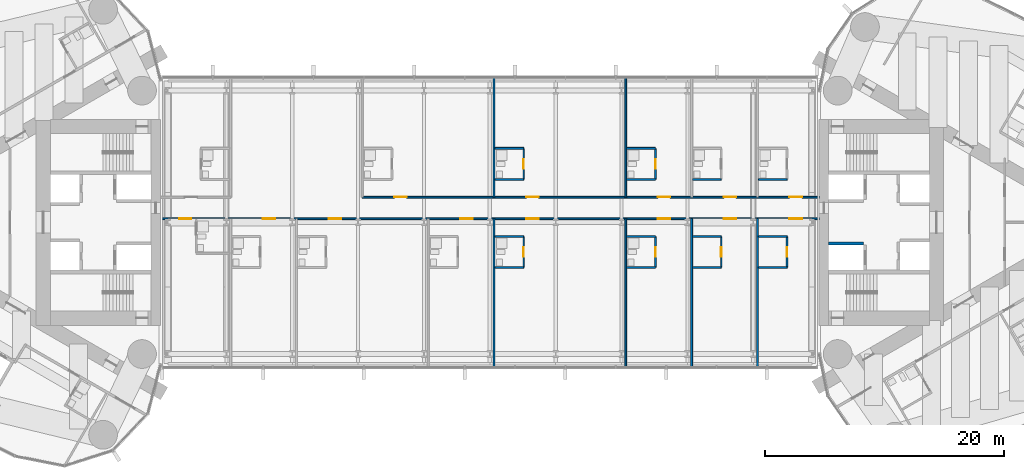
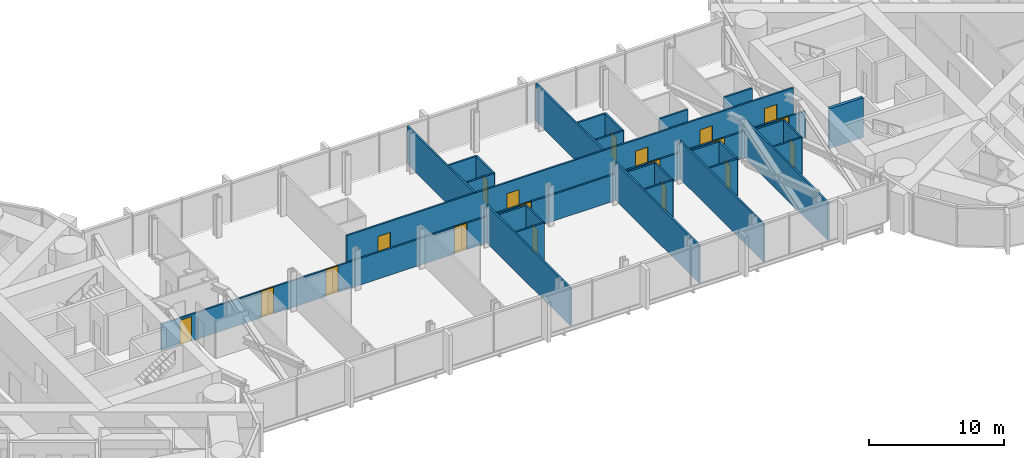
# One storey, part 18 of 24: 29 walls, 19 doors, 19 openings.
"""IFC4 building model written with IfcOpenShell, lengths in metres."""

from ifc_helpers import new_model, si_unit, direction, frame, frame_2d, origin, place, context, subcontext, project, spatial, rectangle, extrude, material, layer, layer_set, type_object, element, fill, save


model = new_model("IFC4")

# Units and contexts
model_context = context("Model", 3, precision=1e-05, world=origin(), true_north=direction((0.0, 1.0)))
body_context = subcontext(model_context, "Body", "Model", "MODEL_VIEW")
ifc_project = project(units=[si_unit("LENGTHUNIT", "METRE"), si_unit("AREAUNIT", "SQUARE_METRE"), si_unit("VOLUMEUNIT", "CUBIC_METRE"), si_unit("PLANEANGLEUNIT", "RADIAN"), si_unit("MASSUNIT", "GRAM", prefix="KILO")], contexts=[model_context])

# Site, building, storey
site_placement = place(None, origin())
site = spatial("IfcSite", under=ifc_project, at=site_placement, CompositionType="ELEMENT")
building_placement = place(site_placement, origin())
building = spatial("IfcBuilding", under=site, at=building_placement, Name="Lancet Gate Hotel", CompositionType="ELEMENT")
storey_placement = place(building_placement, frame((0.0, 0.0, 236.89990234375)))
storey = spatial("IfcBuildingStorey", under=building, at=storey_placement, Name="L63", CompositionType="ELEMENT", Elevation=236.89990234375)

# Walls
ifc_material_1 = material(Name="Moisture resistant board partition")
ifc_layer_1 = layer(ifc_material_1, 0.14990234375)
ifc_layer_set_1 = layer_set([ifc_layer_1], Name="Bathroom wall 150")
wall_type_1 = type_object("IfcWallType", Name="Bathroom wall 150", PredefinedType="PARTITIONING", material=ifc_layer_set_1)
for number, where, z_axis, x_axis, name in (
    (1, (0.425048828125, -3.77490234375, 0.0), (0.0, 0.0, 1.0), (1.0, 0.0, 0.0), "Bridge block bathroom wall 150 L63"),
    (2, (0.425048828125, -1.175048828125, 0.0), (0.0, 0.0, 1.0), (1.0, 0.0, 0.0), "Bridge block bathroom wall 150 L63"),
):
    element("IfcWall", number, at=place(storey_placement, frame(where, z_axis=z_axis, x_axis=x_axis)), inside=storey, type_object=wall_type_1, Name=name, PredefinedType="PARTITIONING", context=body_context, shape_type="SweptSolid", body=[
        extrude(rectangle(XDim=2.39990234375, YDim=0.14990234375, at=frame_2d((1.199951171875, 0.0))), origin(), (0.0, 0.0, 1.0), 3.400146484375),
    ])

# Wall, opening, door
wall_1_placement = place(storey_placement, frame((2.824951171875, -3.77490234375, 0.0), z_axis=(0.0, 0.0, 1.0), x_axis=(0.0, 1.0, 0.0)))
wall_1 = element("IfcWall", 3, at=wall_1_placement, inside=storey, type_object=wall_type_1, Name="Bridge block bathroom wall 150 L63", PredefinedType="PARTITIONING", context=body_context, shape_type="SweptSolid", body=[
    extrude(rectangle(XDim=2.599853515625, YDim=0.14990234375, at=frame_2d((1.2998046875, 0.0))), origin(), (0.0, 0.0, 1.0), 3.400146484375),
])
opening_1_placement = place(wall_1_placement, frame((0.89990234375, 0.0, 0.0)))
opening_1 = element("IfcOpeningElement", 4, at=opening_1_placement, cuts=wall_1, Name="Opening B6306-B", PredefinedType="OPENING", context=body_context, shape_type="SweptSolid", body=[
    extrude(rectangle(XDim=0.800048828125, YDim=2.199951171875, at=frame_2d((0.39990234375, 1.10009765625))), frame((0.0, 0.0849609375, 0.0), z_axis=(0.0, -1.0, 0.0), x_axis=(1.0, 0.0, 0.0)), (0.0, 0.0, 1.0), 0.169921875),
])
ifc_material_2 = material(Name="Timber door set", Category="wood")
door_type_1 = type_object("IfcDoorType", Name="Bathroom door 800", OperationType="SINGLE_SWING_RIGHT", PredefinedType="DOOR", material=ifc_material_2)
door_1_placement = place(opening_1_placement, origin())
door_1 = element("IfcDoor", 5, at=door_1_placement, inside=storey, type_object=door_type_1, Name="B6306-B", OperationType="SINGLE_SWING_RIGHT", OverallHeight=2.199951171875, OverallWidth=0.800048828125, PredefinedType="DOOR", context=body_context, shape_type="SweptSolid", body=[
    extrude(rectangle(XDim=0.800048828125, YDim=2.199951171875, at=frame_2d((0.39990234375, 1.10009765625))), frame((0.0, 0.02490234375, 0.0), z_axis=(0.0, -1.0, 0.0), x_axis=(1.0, 0.0, 0.0)), (0.0, 0.0, 1.0), 0.050048828125),
])
fill(opening_1, door_1)

# Walls
for number, where, z_axis, x_axis, name in (
    (6, (11.425048828125, -3.77490234375, 0.0), (0.0, 0.0, 1.0), (1.0, 0.0, 0.0), "Bridge block bathroom wall 150 L63"),
    (7, (11.425048828125, -1.175048828125, 0.0), (0.0, 0.0, 1.0), (1.0, 0.0, 0.0), "Bridge block bathroom wall 150 L63"),
):
    element("IfcWall", number, at=place(storey_placement, frame(where, z_axis=z_axis, x_axis=x_axis)), inside=storey, type_object=wall_type_1, Name=name, PredefinedType="PARTITIONING", context=body_context, shape_type="SweptSolid", body=[
        extrude(rectangle(XDim=2.39990234375, YDim=0.14990234375, at=frame_2d((1.199951171875, 0.0))), origin(), (0.0, 0.0, 1.0), 3.400146484375),
    ])

# Wall, opening, door
wall_2_placement = place(storey_placement, frame((13.824951171875, -3.77490234375, 0.0), z_axis=(0.0, 0.0, 1.0), x_axis=(0.0, 1.0, 0.0)))
wall_2 = element("IfcWall", 8, at=wall_2_placement, inside=storey, type_object=wall_type_1, Name="Bridge block bathroom wall 150 L63", PredefinedType="PARTITIONING", context=body_context, shape_type="SweptSolid", body=[
    extrude(rectangle(XDim=2.599853515625, YDim=0.14990234375, at=frame_2d((1.2998046875, 0.0))), origin(), (0.0, 0.0, 1.0), 3.400146484375),
])
opening_2_placement = place(wall_2_placement, frame((0.89990234375, 0.0, 0.0)))
opening_2 = element("IfcOpeningElement", 9, at=opening_2_placement, cuts=wall_2, Name="Opening B6308-B", PredefinedType="OPENING", context=body_context, shape_type="SweptSolid", body=[
    extrude(rectangle(XDim=0.800048828125, YDim=2.199951171875, at=frame_2d((0.39990234375, 1.10009765625))), frame((0.0, 0.0849609375, 0.0), z_axis=(0.0, -1.0, 0.0), x_axis=(1.0, 0.0, 0.0)), (0.0, 0.0, 1.0), 0.169921875),
])
door_2_placement = place(opening_2_placement, origin())
door_2 = element("IfcDoor", 10, at=door_2_placement, inside=storey, type_object=door_type_1, Name="B6308-B", OperationType="SINGLE_SWING_RIGHT", OverallHeight=2.199951171875, OverallWidth=0.800048828125, PredefinedType="DOOR", context=body_context, shape_type="SweptSolid", body=[
    extrude(rectangle(XDim=0.800048828125, YDim=2.199951171875, at=frame_2d((0.39990234375, 1.10009765625))), frame((0.0, 0.02490234375, 0.0), z_axis=(0.0, -1.0, 0.0), x_axis=(1.0, 0.0, 0.0)), (0.0, 0.0, 1.0), 0.050048828125),
])
fill(opening_2, door_2)

# Walls
for number, where, z_axis, x_axis, name in (
    (11, (16.925048828125, -3.77490234375, 0.0), (0.0, 0.0, 1.0), (1.0, 0.0, 0.0), "Bridge block bathroom wall 150 L63"),
    (12, (16.925048828125, -1.175048828125, 0.0), (0.0, 0.0, 1.0), (1.0, 0.0, 0.0), "Bridge block bathroom wall 150 L63"),
):
    element("IfcWall", number, at=place(storey_placement, frame(where, z_axis=z_axis, x_axis=x_axis)), inside=storey, type_object=wall_type_1, Name=name, PredefinedType="PARTITIONING", context=body_context, shape_type="SweptSolid", body=[
        extrude(rectangle(XDim=2.39990234375, YDim=0.14990234375, at=frame_2d((1.199951171875, 0.0))), origin(), (0.0, 0.0, 1.0), 3.400146484375),
    ])

# Wall, opening, door
wall_3_placement = place(storey_placement, frame((19.324951171875, -3.77490234375, 0.0), z_axis=(0.0, 0.0, 1.0), x_axis=(0.0, 1.0, 0.0)))
wall_3 = element("IfcWall", 13, at=wall_3_placement, inside=storey, type_object=wall_type_1, Name="Bridge block bathroom wall 150 L63", PredefinedType="PARTITIONING", context=body_context, shape_type="SweptSolid", body=[
    extrude(rectangle(XDim=2.599853515625, YDim=0.14990234375, at=frame_2d((1.2998046875, 0.0))), origin(), (0.0, 0.0, 1.0), 3.400146484375),
])
opening_3_placement = place(wall_3_placement, frame((0.89990234375, 0.0, 0.0)))
opening_3 = element("IfcOpeningElement", 14, at=opening_3_placement, cuts=wall_3, Name="Opening B6309-B", PredefinedType="OPENING", context=body_context, shape_type="SweptSolid", body=[
    extrude(rectangle(XDim=0.800048828125, YDim=2.199951171875, at=frame_2d((0.39990234375, 1.10009765625))), frame((0.0, 0.0849609375, 0.0), z_axis=(0.0, -1.0, 0.0), x_axis=(1.0, 0.0, 0.0)), (0.0, 0.0, 1.0), 0.169921875),
])
door_3_placement = place(opening_3_placement, origin())
door_3 = element("IfcDoor", 15, at=door_3_placement, inside=storey, type_object=door_type_1, Name="B6309-B", OperationType="SINGLE_SWING_RIGHT", OverallHeight=2.199951171875, OverallWidth=0.800048828125, PredefinedType="DOOR", context=body_context, shape_type="SweptSolid", body=[
    extrude(rectangle(XDim=0.800048828125, YDim=2.199951171875, at=frame_2d((0.39990234375, 1.10009765625))), frame((0.0, 0.02490234375, 0.0), z_axis=(0.0, -1.0, 0.0), x_axis=(1.0, 0.0, 0.0)), (0.0, 0.0, 1.0), 0.050048828125),
])
fill(opening_3, door_3)

# Walls
for number, where, z_axis, x_axis, name in (
    (16, (22.425048828125, -3.77490234375, 0.0), (0.0, 0.0, 1.0), (1.0, 0.0, 0.0), "Bridge block bathroom wall 150 L63"),
    (17, (22.425048828125, -1.175048828125, 0.0), (0.0, 0.0, 1.0), (1.0, 0.0, 0.0), "Bridge block bathroom wall 150 L63"),
):
    element("IfcWall", number, at=place(storey_placement, frame(where, z_axis=z_axis, x_axis=x_axis)), inside=storey, type_object=wall_type_1, Name=name, PredefinedType="PARTITIONING", context=body_context, shape_type="SweptSolid", body=[
        extrude(rectangle(XDim=2.39990234375, YDim=0.14990234375, at=frame_2d((1.199951171875, 0.0))), origin(), (0.0, 0.0, 1.0), 3.400146484375),
    ])

# Wall, opening, door
wall_4_placement = place(storey_placement, frame((24.824951171875, -3.77490234375, 0.0), z_axis=(0.0, 0.0, 1.0), x_axis=(0.0, 1.0, 0.0)))
wall_4 = element("IfcWall", 18, at=wall_4_placement, inside=storey, type_object=wall_type_1, Name="Bridge block bathroom wall 150 L63", PredefinedType="PARTITIONING", context=body_context, shape_type="SweptSolid", body=[
    extrude(rectangle(XDim=2.599853515625, YDim=0.14990234375, at=frame_2d((1.2998046875, 0.0))), origin(), (0.0, 0.0, 1.0), 3.400146484375),
])
opening_4_placement = place(wall_4_placement, frame((0.89990234375, 0.0, 0.0)))
opening_4 = element("IfcOpeningElement", 19, at=opening_4_placement, cuts=wall_4, Name="Opening B6310-B", PredefinedType="OPENING", context=body_context, shape_type="SweptSolid", body=[
    extrude(rectangle(XDim=0.800048828125, YDim=2.199951171875, at=frame_2d((0.39990234375, 1.10009765625))), frame((0.0, 0.0849609375, 0.0), z_axis=(0.0, -1.0, 0.0), x_axis=(1.0, 0.0, 0.0)), (0.0, 0.0, 1.0), 0.169921875),
])
door_4_placement = place(opening_4_placement, origin())
door_4 = element("IfcDoor", 20, at=door_4_placement, inside=storey, type_object=door_type_1, Name="B6310-B", OperationType="SINGLE_SWING_RIGHT", OverallHeight=2.199951171875, OverallWidth=0.800048828125, PredefinedType="DOOR", context=body_context, shape_type="SweptSolid", body=[
    extrude(rectangle(XDim=0.800048828125, YDim=2.199951171875, at=frame_2d((0.39990234375, 1.10009765625))), frame((0.0, 0.02490234375, 0.0), z_axis=(0.0, -1.0, 0.0), x_axis=(1.0, 0.0, 0.0)), (0.0, 0.0, 1.0), 0.050048828125),
])
fill(opening_4, door_4)

# Walls
for number, where, z_axis, x_axis, name in (
    (21, (0.425048828125, 6.175048828125, 0.0), (0.0, 0.0, 1.0), (1.0, 0.0, 0.0), "Bridge block bathroom wall 150 L63"),
    (22, (0.425048828125, 3.574951171875, 0.0), (0.0, 0.0, 1.0), (1.0, 0.0, 0.0), "Bridge block bathroom wall 150 L63"),
):
    element("IfcWall", number, at=place(storey_placement, frame(where, z_axis=z_axis, x_axis=x_axis)), inside=storey, type_object=wall_type_1, Name=name, PredefinedType="PARTITIONING", context=body_context, shape_type="SweptSolid", body=[
        extrude(rectangle(XDim=2.39990234375, YDim=0.14990234375, at=frame_2d((1.199951171875, 0.0))), origin(), (0.0, 0.0, 1.0), 3.400146484375),
    ])

# Wall, opening, door
wall_5_placement = place(storey_placement, frame((2.824951171875, 3.574951171875, 0.0), z_axis=(0.0, 0.0, 1.0), x_axis=(0.0, 1.0, 0.0)))
wall_5 = element("IfcWall", 23, at=wall_5_placement, inside=storey, type_object=wall_type_1, Name="Bridge block bathroom wall 150 L63", PredefinedType="PARTITIONING", context=body_context, shape_type="SweptSolid", body=[
    extrude(rectangle(XDim=2.60009765625, YDim=0.14990234375, at=frame_2d((1.300048828125, 0.0))), origin(), (0.0, 0.0, 1.0), 3.400146484375),
])
opening_5_placement = place(wall_5_placement, frame((0.89990234375, 0.0, 0.0)))
opening_5 = element("IfcOpeningElement", 24, at=opening_5_placement, cuts=wall_5, Name="Opening B6316-B", PredefinedType="OPENING", context=body_context, shape_type="SweptSolid", body=[
    extrude(rectangle(XDim=0.800048828125, YDim=2.199951171875, at=frame_2d((0.39990234375, 1.10009765625))), frame((0.0, 0.0849609375, 0.0), z_axis=(0.0, -1.0, 0.0), x_axis=(1.0, 0.0, 0.0)), (0.0, 0.0, 1.0), 0.169921875),
])
door_5_placement = place(opening_5_placement, origin())
door_5 = element("IfcDoor", 25, at=door_5_placement, inside=storey, type_object=door_type_1, Name="B6316-B", OperationType="SINGLE_SWING_RIGHT", OverallHeight=2.199951171875, OverallWidth=0.800048828125, PredefinedType="DOOR", context=body_context, shape_type="SweptSolid", body=[
    extrude(rectangle(XDim=0.800048828125, YDim=2.199951171875, at=frame_2d((0.39990234375, 1.10009765625))), frame((0.0, 0.02490234375, 0.0), z_axis=(0.0, -1.0, 0.0), x_axis=(1.0, 0.0, 0.0)), (0.0, 0.0, 1.0), 0.050048828125),
])
fill(opening_5, door_5)

# Walls
for number, where, z_axis, x_axis, name in (
    (26, (11.425048828125, 6.175048828125, 0.0), (0.0, 0.0, 1.0), (1.0, 0.0, 0.0), "Bridge block bathroom wall 150 L63"),
    (27, (11.425048828125, 3.574951171875, 0.0), (0.0, 0.0, 1.0), (1.0, 0.0, 0.0), "Bridge block bathroom wall 150 L63"),
):
    element("IfcWall", number, at=place(storey_placement, frame(where, z_axis=z_axis, x_axis=x_axis)), inside=storey, type_object=wall_type_1, Name=name, PredefinedType="PARTITIONING", context=body_context, shape_type="SweptSolid", body=[
        extrude(rectangle(XDim=2.39990234375, YDim=0.14990234375, at=frame_2d((1.199951171875, 0.0))), origin(), (0.0, 0.0, 1.0), 3.400146484375),
    ])

# Wall, opening, door
wall_6_placement = place(storey_placement, frame((13.824951171875, 3.574951171875, 0.0), z_axis=(0.0, 0.0, 1.0), x_axis=(0.0, 1.0, 0.0)))
wall_6 = element("IfcWall", 28, at=wall_6_placement, inside=storey, type_object=wall_type_1, Name="Bridge block bathroom wall 150 L63", PredefinedType="PARTITIONING", context=body_context, shape_type="SweptSolid", body=[
    extrude(rectangle(XDim=2.60009765625, YDim=0.14990234375, at=frame_2d((1.300048828125, 0.0))), origin(), (0.0, 0.0, 1.0), 3.400146484375),
])
opening_6_placement = place(wall_6_placement, frame((0.89990234375, 0.0, 0.0)))
opening_6 = element("IfcOpeningElement", 29, at=opening_6_placement, cuts=wall_6, Name="Opening B6318-B", PredefinedType="OPENING", context=body_context, shape_type="SweptSolid", body=[
    extrude(rectangle(XDim=0.800048828125, YDim=2.199951171875, at=frame_2d((0.39990234375, 1.10009765625))), frame((0.0, 0.0849609375, 0.0), z_axis=(0.0, -1.0, 0.0), x_axis=(1.0, 0.0, 0.0)), (0.0, 0.0, 1.0), 0.169921875),
])
door_6_placement = place(opening_6_placement, origin())
door_6 = element("IfcDoor", 30, at=door_6_placement, inside=storey, type_object=door_type_1, Name="B6318-B", OperationType="SINGLE_SWING_RIGHT", OverallHeight=2.199951171875, OverallWidth=0.800048828125, PredefinedType="DOOR", context=body_context, shape_type="SweptSolid", body=[
    extrude(rectangle(XDim=0.800048828125, YDim=2.199951171875, at=frame_2d((0.39990234375, 1.10009765625))), frame((0.0, 0.02490234375, 0.0), z_axis=(0.0, -1.0, 0.0), x_axis=(1.0, 0.0, 0.0)), (0.0, 0.0, 1.0), 0.050048828125),
])
fill(opening_6, door_6)

# Walls
for number, where, z_axis, x_axis, name in (
    (31, (16.925048828125, 3.574951171875, 0.0), (0.0, 0.0, 1.0), (1.0, 0.0, 0.0), "Bridge block bathroom wall 150 L63"),
    (32, (22.425048828125, 3.574951171875, 0.0), (0.0, 0.0, 1.0), (1.0, 0.0, 0.0), "Bridge block bathroom wall 150 L63"),
):
    element("IfcWall", number, at=place(storey_placement, frame(where, z_axis=z_axis, x_axis=x_axis)), inside=storey, type_object=wall_type_1, Name=name, PredefinedType="PARTITIONING", context=body_context, shape_type="SweptSolid", body=[
        extrude(rectangle(XDim=2.39990234375, YDim=0.14990234375, at=frame_2d((1.199951171875, 0.0))), origin(), (0.0, 0.0, 1.0), 3.400146484375),
    ])

# Wall, openings, doors
ifc_material_3 = material(Name="Gypsum board partition")
ifc_layer_2 = layer(ifc_material_3, 0.14990234375)
ifc_layer_set_2 = layer_set([ifc_layer_2], Name="Block corridor wall 150")
wall_type_2 = type_object("IfcWallType", Name="Block corridor wall 150", PredefinedType="PARTITIONING", material=ifc_layer_set_2)
wall_7_placement = place(storey_placement, frame((-27.5, 0.300048828125, 0.0), z_axis=(0.0, 0.0, 1.0), x_axis=(1.0, 0.0, 0.0)))
wall_7 = element("IfcWall", 33, at=wall_7_placement, inside=storey, type_object=wall_type_2, Name="Bridge block block corridor wall 150 L63", PredefinedType="PARTITIONING", context=body_context, shape_type="SweptSolid", body=[
    extrude(rectangle(XDim=55.0, YDim=0.14990234375, at=frame_2d((27.5, 0.0))), origin(), (0.0, 0.0, 1.0), 2.400146484375),
])
opening_7_placement = place(wall_7_placement, frame((1.574951171875, 0.0, 0.0)))
opening_7 = element("IfcOpeningElement", 34, at=opening_7_placement, cuts=wall_7, Name="Opening B6301", PredefinedType="OPENING", context=body_context, shape_type="SweptSolid", body=[
    extrude(rectangle(XDim=1.0, YDim=2.199951171875, at=frame_2d((0.5, 1.10009765625))), frame((0.0, 0.0849609375, 0.0), z_axis=(0.0, -1.0, 0.0), x_axis=(1.0, 0.0, 0.0)), (0.0, 0.0, 1.0), 0.169921875),
])
opening_8_placement = place(wall_7_placement, frame((8.52490234375, 0.0, 0.0)))
opening_8 = element("IfcOpeningElement", 35, at=opening_8_placement, cuts=wall_7, Name="Opening B6302", PredefinedType="OPENING", context=body_context, shape_type="SweptSolid", body=[
    extrude(rectangle(XDim=1.050048828125, YDim=2.39990234375, at=frame_2d((0.52490234375, 1.199951171875))), frame((0.0, 0.0849609375, 0.0), z_axis=(0.0, -1.0, 0.0), x_axis=(1.0, 0.0, 0.0)), (0.0, 0.0, 1.0), 0.169921875),
])
opening_9_placement = place(wall_7_placement, frame((14.02490234375, 0.0, 0.0)))
opening_9 = element("IfcOpeningElement", 36, at=opening_9_placement, cuts=wall_7, Name="Opening B6303", PredefinedType="OPENING", context=body_context, shape_type="SweptSolid", body=[
    extrude(rectangle(XDim=1.050048828125, YDim=2.39990234375, at=frame_2d((0.52490234375, 1.199951171875))), frame((0.0, 0.0849609375, 0.0), z_axis=(0.0, -1.0, 0.0), x_axis=(1.0, 0.0, 0.0)), (0.0, 0.0, 1.0), 0.169921875),
])
opening_10_placement = place(wall_7_placement, frame((25.02490234375, 0.0, 0.0)))
opening_10 = element("IfcOpeningElement", 37, at=opening_10_placement, cuts=wall_7, Name="Opening B6305", PredefinedType="OPENING", context=body_context, shape_type="SweptSolid", body=[
    extrude(rectangle(XDim=1.050048828125, YDim=2.39990234375, at=frame_2d((0.52490234375, 1.199951171875))), frame((0.0, 0.0849609375, 0.0), z_axis=(0.0, -1.0, 0.0), x_axis=(1.0, 0.0, 0.0)), (0.0, 0.0, 1.0), 0.169921875),
])
opening_11_placement = place(wall_7_placement, frame((30.52490234375, 0.0, 0.0)))
opening_11 = element("IfcOpeningElement", 38, at=opening_11_placement, cuts=wall_7, Name="Opening B6306", PredefinedType="OPENING", context=body_context, shape_type="SweptSolid", body=[
    extrude(rectangle(XDim=1.050048828125, YDim=2.39990234375, at=frame_2d((0.52490234375, 1.199951171875))), frame((0.0, 0.0849609375, 0.0), z_axis=(0.0, -1.0, 0.0), x_axis=(1.0, 0.0, 0.0)), (0.0, 0.0, 1.0), 0.169921875),
])
opening_12_placement = place(wall_7_placement, frame((41.52490234375, 0.0, 0.0)))
opening_12 = element("IfcOpeningElement", 39, at=opening_12_placement, cuts=wall_7, Name="Opening B6308", PredefinedType="OPENING", context=body_context, shape_type="SweptSolid", body=[
    extrude(rectangle(XDim=1.050048828125, YDim=2.39990234375, at=frame_2d((0.52490234375, 1.199951171875))), frame((0.0, 0.0849609375, 0.0), z_axis=(0.0, -1.0, 0.0), x_axis=(1.0, 0.0, 0.0)), (0.0, 0.0, 1.0), 0.169921875),
])
opening_13_placement = place(wall_7_placement, frame((47.02490234375, 0.0, 0.0)))
opening_13 = element("IfcOpeningElement", 40, at=opening_13_placement, cuts=wall_7, Name="Opening B6309", PredefinedType="OPENING", context=body_context, shape_type="SweptSolid", body=[
    extrude(rectangle(XDim=1.050048828125, YDim=2.39990234375, at=frame_2d((0.52490234375, 1.199951171875))), frame((0.0, 0.0849609375, 0.0), z_axis=(0.0, -1.0, 0.0), x_axis=(1.0, 0.0, 0.0)), (0.0, 0.0, 1.0), 0.169921875),
])
opening_14_placement = place(wall_7_placement, frame((52.52490234375, 0.0, 0.0)))
opening_14 = element("IfcOpeningElement", 41, at=opening_14_placement, cuts=wall_7, Name="Opening B6310", PredefinedType="OPENING", context=body_context, shape_type="SweptSolid", body=[
    extrude(rectangle(XDim=1.050048828125, YDim=2.39990234375, at=frame_2d((0.52490234375, 1.199951171875))), frame((0.0, 0.0849609375, 0.0), z_axis=(0.0, -1.0, 0.0), x_axis=(1.0, 0.0, 0.0)), (0.0, 0.0, 1.0), 0.169921875),
])
ifc_material_4 = material(Name="Timber door set", Category="wood")
door_type_2 = type_object("IfcDoorType", Name="Accessible guest room door 1000", OperationType="SINGLE_SWING_LEFT", PredefinedType="DOOR", material=ifc_material_4)
door_7_placement = place(opening_7_placement, origin())
door_7 = element("IfcDoor", 42, at=door_7_placement, inside=storey, type_object=door_type_2, Name="B6301", OperationType="SINGLE_SWING_LEFT", OverallHeight=2.199951171875, OverallWidth=1.0, PredefinedType="DOOR", context=body_context, shape_type="SweptSolid", body=[
    extrude(rectangle(XDim=1.0, YDim=2.199951171875, at=frame_2d((0.5, 1.10009765625))), frame((0.0, 0.02490234375, 0.0), z_axis=(0.0, -1.0, 0.0), x_axis=(1.0, 0.0, 0.0)), (0.0, 0.0, 1.0), 0.050048828125),
])
fill(opening_7, door_7)
ifc_material_5 = material(Name="Timber door set", Category="wood")
door_type_3 = type_object("IfcDoorType", Name="Suite entry door 1050", OperationType="SINGLE_SWING_LEFT", PredefinedType="DOOR", material=ifc_material_5)
door_8_placement = place(opening_8_placement, origin())
door_8 = element("IfcDoor", 43, at=door_8_placement, inside=storey, type_object=door_type_3, Name="B6302", OperationType="SINGLE_SWING_LEFT", OverallHeight=2.39990234375, OverallWidth=1.050048828125, PredefinedType="DOOR", context=body_context, shape_type="SweptSolid", body=[
    extrude(rectangle(XDim=1.050048828125, YDim=2.39990234375, at=frame_2d((0.52490234375, 1.199951171875))), frame((0.0, 0.02490234375, 0.0), z_axis=(0.0, -1.0, 0.0), x_axis=(1.0, 0.0, 0.0)), (0.0, 0.0, 1.0), 0.050048828125),
])
fill(opening_8, door_8)
door_9_placement = place(opening_9_placement, origin())
door_9 = element("IfcDoor", 44, at=door_9_placement, inside=storey, type_object=door_type_3, Name="B6303", OperationType="SINGLE_SWING_LEFT", OverallHeight=2.39990234375, OverallWidth=1.050048828125, PredefinedType="DOOR", context=body_context, shape_type="SweptSolid", body=[
    extrude(rectangle(XDim=1.050048828125, YDim=2.39990234375, at=frame_2d((0.52490234375, 1.199951171875))), frame((0.0, 0.02490234375, 0.0), z_axis=(0.0, -1.0, 0.0), x_axis=(1.0, 0.0, 0.0)), (0.0, 0.0, 1.0), 0.050048828125),
])
fill(opening_9, door_9)
door_10_placement = place(opening_10_placement, origin())
door_10 = element("IfcDoor", 45, at=door_10_placement, inside=storey, type_object=door_type_3, Name="B6305", OperationType="SINGLE_SWING_LEFT", OverallHeight=2.39990234375, OverallWidth=1.050048828125, PredefinedType="DOOR", context=body_context, shape_type="SweptSolid", body=[
    extrude(rectangle(XDim=1.050048828125, YDim=2.39990234375, at=frame_2d((0.52490234375, 1.199951171875))), frame((0.0, 0.02490234375, 0.0), z_axis=(0.0, -1.0, 0.0), x_axis=(1.0, 0.0, 0.0)), (0.0, 0.0, 1.0), 0.050048828125),
])
fill(opening_10, door_10)
door_11_placement = place(opening_11_placement, origin())
door_11 = element("IfcDoor", 46, at=door_11_placement, inside=storey, type_object=door_type_3, Name="B6306", OperationType="SINGLE_SWING_LEFT", OverallHeight=2.39990234375, OverallWidth=1.050048828125, PredefinedType="DOOR", context=body_context, shape_type="SweptSolid", body=[
    extrude(rectangle(XDim=1.050048828125, YDim=2.39990234375, at=frame_2d((0.52490234375, 1.199951171875))), frame((0.0, 0.02490234375, 0.0), z_axis=(0.0, -1.0, 0.0), x_axis=(1.0, 0.0, 0.0)), (0.0, 0.0, 1.0), 0.050048828125),
])
fill(opening_11, door_11)
door_12_placement = place(opening_12_placement, origin())
door_12 = element("IfcDoor", 47, at=door_12_placement, inside=storey, type_object=door_type_3, Name="B6308", OperationType="SINGLE_SWING_LEFT", OverallHeight=2.39990234375, OverallWidth=1.050048828125, PredefinedType="DOOR", context=body_context, shape_type="SweptSolid", body=[
    extrude(rectangle(XDim=1.050048828125, YDim=2.39990234375, at=frame_2d((0.52490234375, 1.199951171875))), frame((0.0, 0.02490234375, 0.0), z_axis=(0.0, -1.0, 0.0), x_axis=(1.0, 0.0, 0.0)), (0.0, 0.0, 1.0), 0.050048828125),
])
fill(opening_12, door_12)
door_13_placement = place(opening_13_placement, origin())
door_13 = element("IfcDoor", 48, at=door_13_placement, inside=storey, type_object=door_type_3, Name="B6309", OperationType="SINGLE_SWING_LEFT", OverallHeight=2.39990234375, OverallWidth=1.050048828125, PredefinedType="DOOR", context=body_context, shape_type="SweptSolid", body=[
    extrude(rectangle(XDim=1.050048828125, YDim=2.39990234375, at=frame_2d((0.52490234375, 1.199951171875))), frame((0.0, 0.02490234375, 0.0), z_axis=(0.0, -1.0, 0.0), x_axis=(1.0, 0.0, 0.0)), (0.0, 0.0, 1.0), 0.050048828125),
])
fill(opening_13, door_13)
door_14_placement = place(opening_14_placement, origin())
door_14 = element("IfcDoor", 49, at=door_14_placement, inside=storey, type_object=door_type_3, Name="B6310", OperationType="SINGLE_SWING_LEFT", OverallHeight=2.39990234375, OverallWidth=1.050048828125, PredefinedType="DOOR", context=body_context, shape_type="SweptSolid", body=[
    extrude(rectangle(XDim=1.050048828125, YDim=2.39990234375, at=frame_2d((0.52490234375, 1.199951171875))), frame((0.0, 0.02490234375, 0.0), z_axis=(0.0, -1.0, 0.0), x_axis=(1.0, 0.0, 0.0)), (0.0, 0.0, 1.0), 0.050048828125),
])
fill(opening_14, door_14)

wall_8_placement = place(storey_placement, frame((-10.64990234375, 2.10009765625, 0.0), z_axis=(0.0, 0.0, 1.0), x_axis=(1.0, 0.0, 0.0)))
wall_8 = element("IfcWall", 50, at=wall_8_placement, inside=storey, type_object=wall_type_2, Name="Bridge block block corridor wall 150 L63", PredefinedType="PARTITIONING", context=body_context, shape_type="SweptSolid", body=[
    extrude(rectangle(XDim=38.14990234375, YDim=0.14990234375, at=frame_2d((19.074951171875, 0.0))), origin(), (0.0, 0.0, 1.0), 3.400146484375),
])
opening_15_placement = place(wall_8_placement, frame((2.675048828125, 0.0, 0.0)))
opening_15 = element("IfcOpeningElement", 51, at=opening_15_placement, cuts=wall_8, Name="Opening B6314", PredefinedType="OPENING", context=body_context, shape_type="SweptSolid", body=[
    extrude(rectangle(XDim=1.050048828125, YDim=2.39990234375, at=frame_2d((0.52490234375, 1.199951171875))), frame((0.0, 0.0849609375, 0.0), z_axis=(0.0, -1.0, 0.0), x_axis=(1.0, 0.0, 0.0)), (0.0, 0.0, 1.0), 0.169921875),
])
opening_16_placement = place(wall_8_placement, frame((13.675048828125, 0.0, 0.0)))
opening_16 = element("IfcOpeningElement", 52, at=opening_16_placement, cuts=wall_8, Name="Opening B6316", PredefinedType="OPENING", context=body_context, shape_type="SweptSolid", body=[
    extrude(rectangle(XDim=1.050048828125, YDim=2.39990234375, at=frame_2d((0.52490234375, 1.199951171875))), frame((0.0, 0.0849609375, 0.0), z_axis=(0.0, -1.0, 0.0), x_axis=(1.0, 0.0, 0.0)), (0.0, 0.0, 1.0), 0.169921875),
])
opening_17_placement = place(wall_8_placement, frame((24.675048828125, 0.0, 0.0)))
opening_17 = element("IfcOpeningElement", 53, at=opening_17_placement, cuts=wall_8, Name="Opening B6318", PredefinedType="OPENING", context=body_context, shape_type="SweptSolid", body=[
    extrude(rectangle(XDim=1.050048828125, YDim=2.39990234375, at=frame_2d((0.52490234375, 1.199951171875))), frame((0.0, 0.0849609375, 0.0), z_axis=(0.0, -1.0, 0.0), x_axis=(1.0, 0.0, 0.0)), (0.0, 0.0, 1.0), 0.169921875),
])
opening_18_placement = place(wall_8_placement, frame((30.175048828125, 0.0, 0.0)))
opening_18 = element("IfcOpeningElement", 54, at=opening_18_placement, cuts=wall_8, Name="Opening B6319", PredefinedType="OPENING", context=body_context, shape_type="SweptSolid", body=[
    extrude(rectangle(XDim=1.050048828125, YDim=2.39990234375, at=frame_2d((0.52490234375, 1.199951171875))), frame((0.0, 0.0849609375, 0.0), z_axis=(0.0, -1.0, 0.0), x_axis=(1.0, 0.0, 0.0)), (0.0, 0.0, 1.0), 0.169921875),
])
opening_19_placement = place(wall_8_placement, frame((35.675048828125, 0.0, 0.0)))
opening_19 = element("IfcOpeningElement", 55, at=opening_19_placement, cuts=wall_8, Name="Opening B6320", PredefinedType="OPENING", context=body_context, shape_type="SweptSolid", body=[
    extrude(rectangle(XDim=1.050048828125, YDim=2.39990234375, at=frame_2d((0.52490234375, 1.199951171875))), frame((0.0, 0.0849609375, 0.0), z_axis=(0.0, -1.0, 0.0), x_axis=(1.0, 0.0, 0.0)), (0.0, 0.0, 1.0), 0.169921875),
])
door_15_placement = place(opening_15_placement, origin())
door_15 = element("IfcDoor", 56, at=door_15_placement, inside=storey, type_object=door_type_3, Name="B6314", OperationType="SINGLE_SWING_LEFT", OverallHeight=2.39990234375, OverallWidth=1.050048828125, PredefinedType="DOOR", context=body_context, shape_type="SweptSolid", body=[
    extrude(rectangle(XDim=1.050048828125, YDim=2.39990234375, at=frame_2d((0.52490234375, 1.199951171875))), frame((0.0, 0.02490234375, 0.0), z_axis=(0.0, -1.0, 0.0), x_axis=(1.0, 0.0, 0.0)), (0.0, 0.0, 1.0), 0.050048828125),
])
fill(opening_15, door_15)
door_16_placement = place(opening_16_placement, origin())
door_16 = element("IfcDoor", 57, at=door_16_placement, inside=storey, type_object=door_type_3, Name="B6316", OperationType="SINGLE_SWING_LEFT", OverallHeight=2.39990234375, OverallWidth=1.050048828125, PredefinedType="DOOR", context=body_context, shape_type="SweptSolid", body=[
    extrude(rectangle(XDim=1.050048828125, YDim=2.39990234375, at=frame_2d((0.52490234375, 1.199951171875))), frame((0.0, 0.02490234375, 0.0), z_axis=(0.0, -1.0, 0.0), x_axis=(1.0, 0.0, 0.0)), (0.0, 0.0, 1.0), 0.050048828125),
])
fill(opening_16, door_16)
door_17_placement = place(opening_17_placement, origin())
door_17 = element("IfcDoor", 58, at=door_17_placement, inside=storey, type_object=door_type_3, Name="B6318", OperationType="SINGLE_SWING_LEFT", OverallHeight=2.39990234375, OverallWidth=1.050048828125, PredefinedType="DOOR", context=body_context, shape_type="SweptSolid", body=[
    extrude(rectangle(XDim=1.050048828125, YDim=2.39990234375, at=frame_2d((0.52490234375, 1.199951171875))), frame((0.0, 0.02490234375, 0.0), z_axis=(0.0, -1.0, 0.0), x_axis=(1.0, 0.0, 0.0)), (0.0, 0.0, 1.0), 0.050048828125),
])
fill(opening_17, door_17)
door_18_placement = place(opening_18_placement, origin())
door_18 = element("IfcDoor", 59, at=door_18_placement, inside=storey, type_object=door_type_3, Name="B6319", OperationType="SINGLE_SWING_LEFT", OverallHeight=2.39990234375, OverallWidth=1.050048828125, PredefinedType="DOOR", context=body_context, shape_type="SweptSolid", body=[
    extrude(rectangle(XDim=1.050048828125, YDim=2.39990234375, at=frame_2d((0.52490234375, 1.199951171875))), frame((0.0, 0.02490234375, 0.0), z_axis=(0.0, -1.0, 0.0), x_axis=(1.0, 0.0, 0.0)), (0.0, 0.0, 1.0), 0.050048828125),
])
fill(opening_18, door_18)
door_19_placement = place(opening_19_placement, origin())
door_19 = element("IfcDoor", 60, at=door_19_placement, inside=storey, type_object=door_type_3, Name="B6320", OperationType="SINGLE_SWING_LEFT", OverallHeight=2.39990234375, OverallWidth=1.050048828125, PredefinedType="DOOR", context=body_context, shape_type="SweptSolid", body=[
    extrude(rectangle(XDim=1.050048828125, YDim=2.39990234375, at=frame_2d((0.52490234375, 1.199951171875))), frame((0.0, 0.02490234375, 0.0), z_axis=(0.0, -1.0, 0.0), x_axis=(1.0, 0.0, 0.0)), (0.0, 0.0, 1.0), 0.050048828125),
])
fill(opening_19, door_19)

# Walls
ifc_material_6 = material(Name="Concrete C50/60", Category="concrete")
ifc_layer_3 = layer(ifc_material_6, 0.25)
ifc_layer_set_3 = layer_set([ifc_layer_3], Name="Lift shaft wall 250")
wall_type_3 = type_object("IfcWallType", Name="Lift shaft wall 250", PredefinedType="SHEAR", material=ifc_layer_set_3)
wall_9_placement = place(storey_placement, frame((28.300048828125, -1.77490234375, 0.0), z_axis=(0.0, 0.0, 1.0), x_axis=(1.0, 0.0, 0.0)))
element("IfcWall", 61, at=wall_9_placement, inside=storey, type_object=wall_type_3, Name="T2 core wall pass1-S L63", PredefinedType="SHEAR", context=body_context, shape_type="SweptSolid", body=[
    extrude(rectangle(XDim=2.89990234375, YDim=0.25, at=frame_2d((1.449951171875, 0.0))), origin(), (0.0, 0.0, 1.0), 3.60009765625),
])
ifc_material_7 = material(Name="Gypsum board partition")
ifc_layer_4 = layer(ifc_material_7, 0.14990234375)
ifc_layer_set_4 = layer_set([ifc_layer_4], Name="Party wall 150")
wall_type_4 = type_object("IfcWallType", Name="Party wall 150", PredefinedType="PARTITIONING", material=ifc_layer_set_4)
for number, where, z_axis, x_axis, name in (
    (62, (0.35009765625, -12.070068359375, 0.0), (0.0, 0.0, 1.0), (0.0, 1.0, 0.0), "Bridge block party wall 150 L63"),
    (63, (11.35009765625, -12.070068359375, 0.0), (0.0, 0.0, 1.0), (0.0, 1.0, 0.0), "Bridge block party wall 150 L63"),
    (64, (16.85009765625, -12.070068359375, 0.0), (0.0, 0.0, 1.0), (0.0, 1.0, 0.0), "Bridge block party wall 150 L63"),
    (65, (22.35009765625, -12.070068359375, 0.0), (0.0, 0.0, 1.0), (0.0, 1.0, 0.0), "Bridge block party wall 150 L63"),
):
    element("IfcWall", number, at=place(storey_placement, frame(where, z_axis=z_axis, x_axis=x_axis)), inside=storey, type_object=wall_type_4, Name=name, PredefinedType="PARTITIONING", context=body_context, shape_type="SweptSolid", body=[
        extrude(rectangle(XDim=12.3701171875, YDim=0.14990234375, at=frame_2d((6.18505859375, 0.0))), origin(), (0.0, 0.0, 1.0), 3.400146484375),
    ])
for number, where, z_axis, x_axis, name in (
    (66, (0.35009765625, 2.10009765625, 0.0), (0.0, 0.0, 1.0), (0.0, 1.0, 0.0), "Bridge block party wall 150 L63"),
    (67, (11.35009765625, 2.10009765625, 0.0), (0.0, 0.0, 1.0), (0.0, 1.0, 0.0), "Bridge block party wall 150 L63"),
):
    element("IfcWall", number, at=place(storey_placement, frame(where, z_axis=z_axis, x_axis=x_axis)), inside=storey, type_object=wall_type_4, Name=name, PredefinedType="PARTITIONING", context=body_context, shape_type="SweptSolid", body=[
        extrude(rectangle(XDim=9.969970703125, YDim=0.14990234375, at=frame_2d((4.98486328125, 0.0))), origin(), (0.0, 0.0, 1.0), 3.400146484375),
    ])

save(model, "model.ifc")
